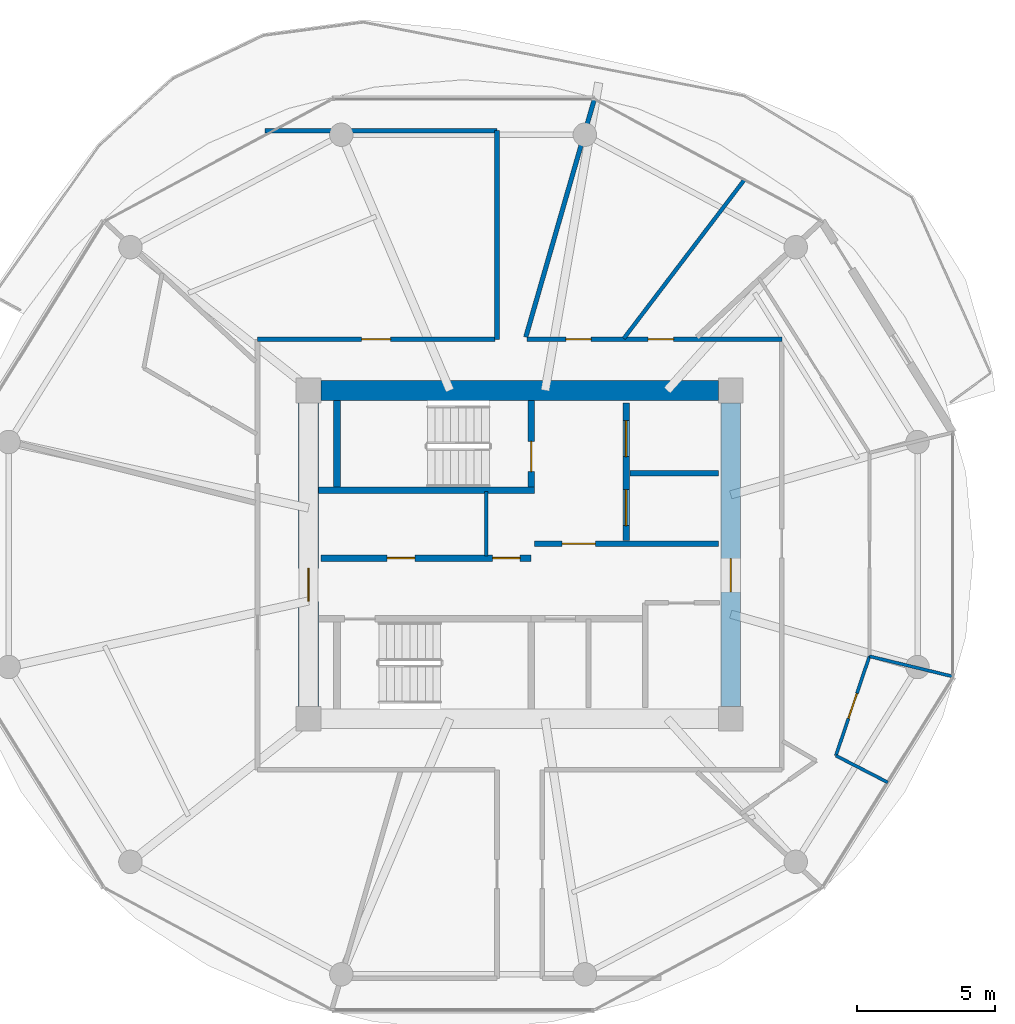
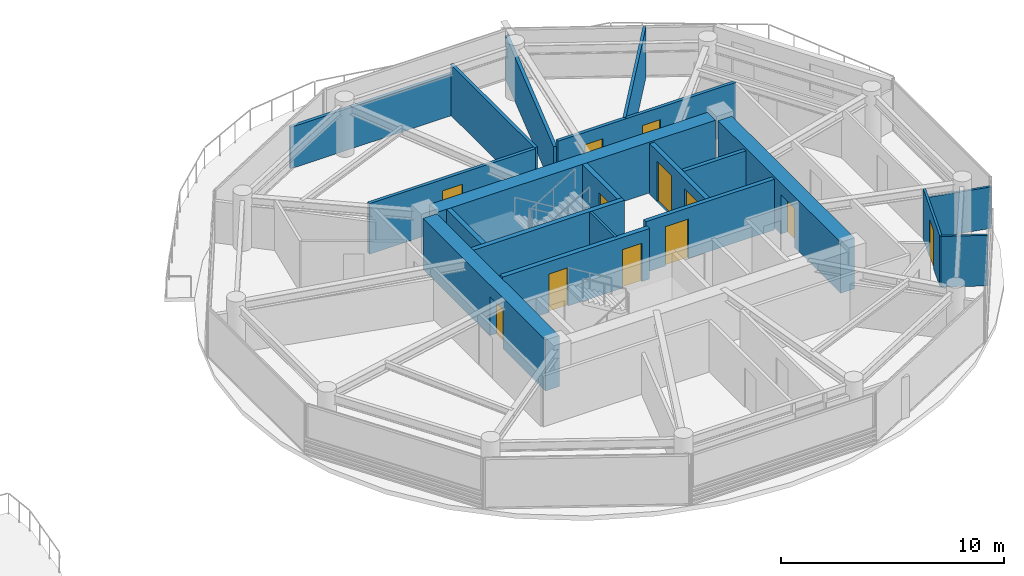
# One storey, part 16 of 24: 20 walls, 12 doors, 12 openings.
"""IFC4 building model written with IfcOpenShell, lengths in metres."""

from ifc_helpers import new_model, si_unit, direction, frame, frame_2d, origin, place, context, subcontext, project, spatial, rectangle, extrude, source, transform, mapped, material, layer, layer_set, type_object, type_shapes, element, fill, save


model = new_model("IFC4")

# Units and contexts
model_context = context("Model", 3, precision=1e-05, world=origin(), true_north=direction((0.0, 1.0)))
body_context = subcontext(model_context, "Body", "Model", "MODEL_VIEW")
ifc_project = project(units=[si_unit("LENGTHUNIT", "METRE"), si_unit("AREAUNIT", "SQUARE_METRE"), si_unit("VOLUMEUNIT", "CUBIC_METRE"), si_unit("PLANEANGLEUNIT", "RADIAN"), si_unit("MASSUNIT", "GRAM", prefix="KILO")], contexts=[model_context])

# Site, building, storey
site_placement = place(None, origin())
site = spatial("IfcSite", under=ifc_project, at=site_placement, CompositionType="ELEMENT")
building_placement = place(site_placement, origin())
building = spatial("IfcBuilding", under=site, at=building_placement, Name="Norrkilde Senior Care Towers", CompositionType="ELEMENT")
storey_placement = place(building_placement, frame((0.0, 0.0, 117.60009765625)))
storey = spatial("IfcBuildingStorey", under=building, at=storey_placement, Name="L36", CompositionType="ELEMENT", Elevation=117.60009765625)

# Wall
ifc_material_1 = material(Name="Concrete C60/75", Category="concrete")
ifc_layer_1 = layer(ifc_material_1, 0.719970703125)
ifc_layer_set_1 = layer_set([ifc_layer_1], Name="Concrete C60/75")
wall_type_1 = type_object("IfcWallType", Name="Core Shear Wall Z2 720", PredefinedType="SHEAR", material=ifc_layer_set_1)
shared_shape_1 = source(origin(), body_context, "Body", "SweptSolid", [
    extrude(rectangle(XDim=14.39990234375, YDim=0.719970703125, at=frame_2d((7.199951171875, 0.0))), origin(), (0.0, 0.0, 1.0), 2.789794921875),
])
wall_1_placement = place(storey_placement, frame((20.800048828125, 5.949951171875, 0.0), z_axis=(0.0, 0.0, 1.0), x_axis=(1.0, 0.0, 0.0)))
element("IfcWall", 1, at=wall_1_placement, inside=storey, type_object=wall_type_1, Name="L36 Core E North Shear Wall", PredefinedType="SHEAR", context=body_context, shape_type="MappedRepresentation", body=[
    mapped(shared_shape_1, transform((0.0, 0.0, 0.0), x_axis=(1.0, 0.0, 0.0), y_axis=(0.0, 1.0, 0.0), z_axis=(0.0, 0.0, 1.0), scale=1.0)),
])

# Wall, opening, door
shared_shape_2 = source(origin(), body_context, "Body", "SweptSolid", [
    extrude(rectangle(XDim=11.0, YDim=0.719970703125, at=frame_2d((5.5, 0.0))), origin(), (0.0, 0.0, 1.0), 2.789794921875),
])
type_shapes(wall_type_1, [shared_shape_1, shared_shape_2])
wall_2_placement = place(storey_placement, frame((20.35009765625, -5.5, 0.0), z_axis=(0.0, 0.0, 1.0), x_axis=(0.0, 1.0, 0.0)))
wall_2 = element("IfcWall", 2, at=wall_2_placement, inside=storey, type_object=wall_type_1, Name="L36 Core E West Shear Wall", PredefinedType="SHEAR", context=body_context, shape_type="MappedRepresentation", body=[
    mapped(shared_shape_2, transform((0.0, 0.0, 0.0), x_axis=(1.0, 0.0, 0.0), y_axis=(0.0, 1.0, 0.0), z_axis=(0.0, 0.0, 1.0), scale=1.0)),
])
opening_1_placement = place(wall_2_placement, frame((3.800048828125, 0.0, 0.0)))
opening_1 = element("IfcOpeningElement", 3, at=opening_1_placement, cuts=wall_2, Name="Opening D-04", PredefinedType="OPENING", context=body_context, shape_type="SweptSolid", body=[
    extrude(rectangle(XDim=1.199951171875, YDim=2.14990234375, at=frame_2d((0.60009765625, 1.074951171875))), frame((0.0, 0.369873046875, 0.0), z_axis=(0.0, -1.0, 0.0), x_axis=(1.0, 0.0, 0.0)), (0.0, 0.0, 1.0), 0.739990234375),
])
ifc_material_2 = material(Name="Galvanised Painted Steel", Category="steel")
door_type_1 = type_object("IfcDoorType", Name="Firefighting Lobby Fire Door 1200x2150", OperationType="NOTDEFINED", PredefinedType="DOOR", material=ifc_material_2)
shared_shape_3 = source(origin(), body_context, "Body", "SweptSolid", [
    extrude(rectangle(XDim=1.199951171875, YDim=2.14990234375, at=frame_2d((0.60009765625, 1.074951171875))), frame((0.0, 0.02490234375, 0.0), z_axis=(0.0, -1.0, 0.0), x_axis=(1.0, 0.0, 0.0)), (0.0, 0.0, 1.0), 0.050048828125),
])
type_shapes(door_type_1, [shared_shape_3])
door_1_placement = place(opening_1_placement, frame((1.199951171875, 0.0, 0.0), z_axis=(0.0, 0.0, 1.0), x_axis=(-1.0, 0.0, 0.0)))
door_1 = element("IfcDoor", 4, at=door_1_placement, inside=storey, type_object=door_type_1, Name="L36 Core E West Portal Door", OperationType="SINGLE_SWING_LEFT", OverallHeight=2.14990234375, OverallWidth=1.199951171875, PredefinedType="DOOR", context=body_context, shape_type="MappedRepresentation", body=[
    mapped(shared_shape_3, transform((0.0, 0.0, 0.0), x_axis=(1.0, 0.0, 0.0), y_axis=(0.0, 1.0, 0.0), z_axis=(0.0, 0.0, 1.0), scale=1.0)),
])
fill(opening_1, door_1)

wall_3_placement = place(storey_placement, frame((35.64990234375, 5.5, 0.0), z_axis=(0.0, 0.0, 1.0), x_axis=(0.0, -1.0, 0.0)))
wall_3 = element("IfcWall", 5, at=wall_3_placement, inside=storey, type_object=wall_type_1, Name="L36 Core E East Shear Wall", PredefinedType="SHEAR", context=body_context, shape_type="MappedRepresentation", body=[
    mapped(shared_shape_2, transform((0.0, 0.0, 0.0), x_axis=(1.0, 0.0, 0.0), y_axis=(0.0, 1.0, 0.0), z_axis=(0.0, 0.0, 1.0), scale=1.0)),
])
opening_2_placement = place(wall_3_placement, frame((5.64990234375, 0.0, 0.0)))
opening_2 = element("IfcOpeningElement", 6, at=opening_2_placement, cuts=wall_3, Name="Opening D-04", PredefinedType="OPENING", context=body_context, shape_type="SweptSolid", body=[
    extrude(rectangle(XDim=1.199951171875, YDim=2.14990234375, at=frame_2d((0.60009765625, 1.074951171875))), frame((0.0, 0.369873046875, 0.0), z_axis=(0.0, -1.0, 0.0), x_axis=(1.0, 0.0, 0.0)), (0.0, 0.0, 1.0), 0.739990234375),
])
door_2_placement = place(opening_2_placement, frame((1.199951171875, 0.0, 0.0), z_axis=(0.0, 0.0, 1.0), x_axis=(-1.0, 0.0, 0.0)))
door_2 = element("IfcDoor", 7, at=door_2_placement, inside=storey, type_object=door_type_1, Name="L36 Core E East Portal Door", OperationType="SINGLE_SWING_RIGHT", OverallHeight=2.14990234375, OverallWidth=1.199951171875, PredefinedType="DOOR", context=body_context, shape_type="MappedRepresentation", body=[
    mapped(shared_shape_3, transform((0.0, 0.0, 0.0), x_axis=(1.0, 0.0, 0.0), y_axis=(0.0, 1.0, 0.0), z_axis=(0.0, 0.0, 1.0), scale=1.0)),
])
fill(opening_2, door_2)

# Wall, openings, doors
ifc_material_3 = material(Name="Concrete C45/55", Category="concrete")
ifc_layer_2 = layer(ifc_material_3, 0.239990234375)
ifc_layer_set_2 = layer_set([ifc_layer_2], Name="Concrete C45/55")
wall_type_2 = type_object("IfcWallType", Name="Lift and Plant Rated Enclosure Partition 240", PredefinedType="PARTITIONING", material=ifc_layer_set_2)
shared_shape_4 = source(origin(), body_context, "Body", "SweptSolid", [
    extrude(rectangle(XDim=5.0, YDim=0.239990234375, at=frame_2d((2.5, 0.0))), origin(), (0.0, 0.0, 1.0), 2.77490234375),
])
wall_4_placement = place(storey_placement, frame((31.860107421875, 0.5, 0.0), z_axis=(0.0, 0.0, 1.0), x_axis=(0.0, 1.0, 0.0)))
wall_4 = element("IfcWall", 8, at=wall_4_placement, inside=storey, type_object=wall_type_2, Name="WL-INT-L36-E-FFLE", PredefinedType="PARTITIONING", context=body_context, shape_type="MappedRepresentation", body=[
    mapped(shared_shape_4, transform((0.0, 0.0, 0.0), x_axis=(1.0, 0.0, 0.0), y_axis=(0.0, 1.0, 0.0), z_axis=(0.0, 0.0, 1.0), scale=1.0)),
])
opening_3_placement = place(wall_4_placement, frame((3.050048828125, 0.0, 0.0)))
opening_3 = element("IfcOpeningElement", 9, at=opening_3_placement, cuts=wall_4, Name="Opening LD-02", PredefinedType="OPENING", context=body_context, shape_type="SweptSolid", body=[
    extrude(rectangle(XDim=1.300048828125, YDim=2.199951171875, at=frame_2d((0.64990234375, 1.10009765625))), frame((0.0, 0.1298828125, 0.0), z_axis=(0.0, -1.0, 0.0), x_axis=(1.0, 0.0, 0.0)), (0.0, 0.0, 1.0), 0.260009765625),
])
opening_4_placement = place(wall_4_placement, frame((0.550048828125, 0.0, 0.0)))
opening_4 = element("IfcOpeningElement", 10, at=opening_4_placement, cuts=wall_4, Name="Opening LD-02", PredefinedType="OPENING", context=body_context, shape_type="SweptSolid", body=[
    extrude(rectangle(XDim=1.300048828125, YDim=2.199951171875, at=frame_2d((0.64990234375, 1.10009765625))), frame((0.0, 0.1298828125, 0.0), z_axis=(0.0, -1.0, 0.0), x_axis=(1.0, 0.0, 0.0)), (0.0, 0.0, 1.0), 0.260009765625),
])
ifc_material_4 = material(Name="Stainless Steel", Category="steel")
door_type_2 = type_object("IfcDoorType", Name="Stretcher and FFL Landing Sliding Door 1300x2200", OperationType="NOTDEFINED", PredefinedType="DOOR", material=ifc_material_4)
shared_shape_5 = source(origin(), body_context, "Body", "SweptSolid", [
    extrude(rectangle(XDim=1.300048828125, YDim=2.199951171875, at=frame_2d((0.64990234375, 1.10009765625))), frame((0.0, 0.02490234375, 0.0), z_axis=(0.0, -1.0, 0.0), x_axis=(1.0, 0.0, 0.0)), (0.0, 0.0, 1.0), 0.050048828125),
])
type_shapes(door_type_2, [shared_shape_5])
door_3_placement = place(opening_3_placement, origin())
door_3 = element("IfcDoor", 11, at=door_3_placement, inside=storey, type_object=door_type_2, Name="L36 Firefighting Lift E1 Landing Door", OperationType="SLIDING_TO_LEFT", OverallHeight=2.199951171875, OverallWidth=1.300048828125, PredefinedType="DOOR", context=body_context, shape_type="MappedRepresentation", body=[
    mapped(shared_shape_5, transform((0.0, 0.0, 0.0), x_axis=(1.0, 0.0, 0.0), y_axis=(0.0, 1.0, 0.0), z_axis=(0.0, 0.0, 1.0), scale=1.0)),
])
fill(opening_3, door_3)
door_4_placement = place(opening_4_placement, origin())
door_4 = element("IfcDoor", 12, at=door_4_placement, inside=storey, type_object=door_type_2, Name="L36 Stretcher Lift E1 Landing Door", OperationType="SLIDING_TO_RIGHT", OverallHeight=2.199951171875, OverallWidth=1.300048828125, PredefinedType="DOOR", context=body_context, shape_type="MappedRepresentation", body=[
    mapped(shared_shape_5, transform((0.0, 0.0, 0.0), x_axis=(1.0, 0.0, 0.0), y_axis=(0.0, 1.0, 0.0), z_axis=(0.0, 0.0, 1.0), scale=1.0)),
])
fill(opening_4, door_4)

# Wall
ifc_layer_3 = layer(ifc_material_3, 0.199951171875)
ifc_layer_set_3 = layer_set([ifc_layer_3], Name="Concrete C45/55")
wall_type_3 = type_object("IfcWallType", Name="Shaft Division and Plant Partition 200", PredefinedType="PARTITIONING", material=ifc_layer_set_3)
shared_shape_6 = source(origin(), body_context, "Body", "SweptSolid", [
    extrude(rectangle(XDim=3.199951171875, YDim=0.199951171875, at=frame_2d((1.60009765625, 0.0))), origin(), (0.0, 0.0, 1.0), 2.77490234375),
])
type_shapes(wall_type_3, [shared_shape_6])
wall_5_placement = place(storey_placement, frame((32.0, 2.949951171875, 0.0), z_axis=(0.0, 0.0, 1.0), x_axis=(1.0, 0.0, 0.0)))
element("IfcWall", 13, at=wall_5_placement, inside=storey, type_object=wall_type_3, Name="WL-INT-L36-E-FFLDIV", PredefinedType="PARTITIONING", context=body_context, shape_type="MappedRepresentation", body=[
    mapped(shared_shape_6, transform((0.0, 0.0, 0.0), x_axis=(1.0, 0.0, 0.0), y_axis=(0.0, 1.0, 0.0), z_axis=(0.0, 0.0, 1.0), scale=1.0)),
])

# Wall, opening, door
ifc_layer_4 = layer(ifc_material_3, 0.2099609375)
ifc_layer_set_4 = layer_set([ifc_layer_4], Name="Concrete C45/55")
wall_type_4 = type_object("IfcWallType", Name="Firefighting Lobby Wall 210", PredefinedType="PARTITIONING", material=ifc_layer_set_4)
shared_shape_7 = source(origin(), body_context, "Body", "SweptSolid", [
    extrude(rectangle(XDim=6.659912109375, YDim=0.2099609375, at=frame_2d((3.330078125, 0.0))), origin(), (0.0, 0.0, 1.0), 2.77490234375),
])
type_shapes(wall_type_4, [shared_shape_7])
wall_6_placement = place(storey_placement, frame((28.5400390625, 0.389892578125, 0.0), z_axis=(0.0, 0.0, 1.0), x_axis=(1.0, 0.0, 0.0)))
wall_6 = element("IfcWall", 14, at=wall_6_placement, inside=storey, type_object=wall_type_4, Name="WL-INT-L36-E-FFLS", PredefinedType="PARTITIONING", context=body_context, shape_type="MappedRepresentation", body=[
    mapped(shared_shape_7, transform((0.0, 0.0, 0.0), x_axis=(1.0, 0.0, 0.0), y_axis=(0.0, 1.0, 0.0), z_axis=(0.0, 0.0, 1.0), scale=1.0)),
])
opening_5_placement = place(wall_6_placement, frame((1.0, 0.0, 0.0)))
opening_5 = element("IfcOpeningElement", 15, at=opening_5_placement, cuts=wall_6, Name="Opening D-04", PredefinedType="OPENING", context=body_context, shape_type="SweptSolid", body=[
    extrude(rectangle(XDim=1.199951171875, YDim=2.14990234375, at=frame_2d((0.60009765625, 1.074951171875))), frame((0.0, 0.114990234375, 0.0), z_axis=(0.0, -1.0, 0.0), x_axis=(1.0, 0.0, 0.0)), (0.0, 0.0, 1.0), 0.22998046875),
])
door_5_placement = place(opening_5_placement, frame((1.199951171875, 0.0, 0.0), z_axis=(0.0, 0.0, 1.0), x_axis=(-1.0, 0.0, 0.0)))
door_5 = element("IfcDoor", 16, at=door_5_placement, inside=storey, type_object=door_type_1, Name="L36 Firefighting Lobby E Door", OperationType="SINGLE_SWING_LEFT", OverallHeight=2.14990234375, OverallWidth=1.199951171875, PredefinedType="DOOR", context=body_context, shape_type="MappedRepresentation", body=[
    mapped(shared_shape_3, transform((0.0, 0.0, 0.0), x_axis=(1.0, 0.0, 0.0), y_axis=(0.0, 1.0, 0.0), z_axis=(0.0, 0.0, 1.0), scale=1.0)),
])
fill(opening_5, door_5)

# Wall, openings, doors
shared_shape_8 = source(origin(), body_context, "Body", "SweptSolid", [
    extrude(rectangle(XDim=7.619873046875, YDim=0.239990234375, at=frame_2d((3.81005859375, 0.0))), origin(), (0.0, 0.0, 1.0), 2.77490234375),
])
type_shapes(wall_type_2, [shared_shape_4, shared_shape_8])
wall_7_placement = place(storey_placement, frame((20.800048828125, -0.1298828125, 0.0), z_axis=(0.0, 0.0, 1.0), x_axis=(1.0, 0.0, 0.0)))
wall_7 = element("IfcWall", 17, at=wall_7_placement, inside=storey, type_object=wall_type_2, Name="WL-INT-L36-E-PKAS", PredefinedType="PARTITIONING", context=body_context, shape_type="MappedRepresentation", body=[
    mapped(shared_shape_8, transform((0.0, 0.0, 0.0), x_axis=(1.0, 0.0, 0.0), y_axis=(0.0, 1.0, 0.0), z_axis=(0.0, 0.0, 1.0), scale=1.0)),
])
opening_6_placement = place(wall_7_placement, frame((6.219970703125, 0.0, 0.0)))
opening_6 = element("IfcOpeningElement", 18, at=opening_6_placement, cuts=wall_7, Name="Opening D-10", PredefinedType="OPENING", context=body_context, shape_type="SweptSolid", body=[
    extrude(rectangle(XDim=1.0, YDim=2.10009765625, at=frame_2d((0.5, 1.050048828125))), frame((0.0, 0.1298828125, 0.0), z_axis=(0.0, -1.0, 0.0), x_axis=(1.0, 0.0, 0.0)), (0.0, 0.0, 1.0), 0.260009765625),
])
opening_7_placement = place(wall_7_placement, frame((2.39990234375, 0.0, 0.0)))
opening_7 = element("IfcOpeningElement", 19, at=opening_7_placement, cuts=wall_7, Name="Opening D-10", PredefinedType="OPENING", context=body_context, shape_type="SweptSolid", body=[
    extrude(rectangle(XDim=1.0, YDim=2.10009765625, at=frame_2d((0.5, 1.050048828125))), frame((0.0, 0.1298828125, 0.0), z_axis=(0.0, -1.0, 0.0), x_axis=(1.0, 0.0, 0.0)), (0.0, 0.0, 1.0), 0.260009765625),
])
door_type_3 = type_object("IfcDoorType", Name="Plant and Riser Rated Door 1000x2100", OperationType="NOTDEFINED", PredefinedType="DOOR", material=ifc_material_2)
shared_shape_9 = source(origin(), body_context, "Body", "SweptSolid", [
    extrude(rectangle(XDim=1.0, YDim=2.10009765625, at=frame_2d((0.5, 1.050048828125))), frame((0.0, 0.02490234375, 0.0), z_axis=(0.0, -1.0, 0.0), x_axis=(1.0, 0.0, 0.0)), (0.0, 0.0, 1.0), 0.050048828125),
])
type_shapes(door_type_3, [shared_shape_9])
door_6_placement = place(opening_6_placement, frame((1.0, 0.0, 0.0), z_axis=(0.0, 0.0, 1.0), x_axis=(-1.0, 0.0, 0.0)))
door_6 = element("IfcDoor", 20, at=door_6_placement, inside=storey, type_object=door_type_3, Name="L36 Electrical Riser E Door", OperationType="SINGLE_SWING_LEFT", OverallHeight=2.10009765625, OverallWidth=1.0, PredefinedType="DOOR", context=body_context, shape_type="MappedRepresentation", body=[
    mapped(shared_shape_9, transform((0.0, 0.0, 0.0), x_axis=(1.0, 0.0, 0.0), y_axis=(0.0, 1.0, 0.0), z_axis=(0.0, 0.0, 1.0), scale=1.0)),
])
fill(opening_6, door_6)
door_7_placement = place(opening_7_placement, frame((1.0, 0.0, 0.0), z_axis=(0.0, 0.0, 1.0), x_axis=(-1.0, 0.0, 0.0)))
door_7 = element("IfcDoor", 21, at=door_7_placement, inside=storey, type_object=door_type_3, Name="L36 Clean Supply Store E Door", OperationType="SINGLE_SWING_LEFT", OverallHeight=2.10009765625, OverallWidth=1.0, PredefinedType="DOOR", context=body_context, shape_type="MappedRepresentation", body=[
    mapped(shared_shape_9, transform((0.0, 0.0, 0.0), x_axis=(1.0, 0.0, 0.0), y_axis=(0.0, 1.0, 0.0), z_axis=(0.0, 0.0, 1.0), scale=1.0)),
])
fill(opening_7, door_7)

# Wall
ifc_material_5 = material(Name="Gypsum Acoustic Board")
ifc_layer_5 = layer(ifc_material_5, 0.114990234375)
ifc_layer_set_5 = layer_set([ifc_layer_5], Name="Gypsum Acoustic Board")
wall_type_5 = type_object("IfcWallType", Name="Internal Room Partition 115", PredefinedType="PARTITIONING", material=ifc_layer_set_5)
shared_shape_10 = source(origin(), body_context, "Body", "SweptSolid", [
    extrude(rectangle(XDim=2.330078125, YDim=0.114990234375, at=frame_2d((1.1650390625, 0.0))), origin(), (0.0, 0.0, 1.0), 2.77490234375),
])
wall_8_placement = place(storey_placement, frame((26.7900390625, -0.050048828125, 0.0), z_axis=(0.0, 0.0, 1.0), x_axis=(0.0, 1.0, 0.0)))
element("IfcWall", 22, at=wall_8_placement, inside=storey, type_object=wall_type_5, Name="WL-INT-L36-E-RISW", PredefinedType="PARTITIONING", context=body_context, shape_type="MappedRepresentation", body=[
    mapped(shared_shape_10, transform((0.0, 0.0, 0.0), x_axis=(1.0, 0.0, 0.0), y_axis=(0.0, 1.0, 0.0), z_axis=(0.0, 0.0, 1.0), scale=1.0)),
])

# Wall, opening, door
ifc_layer_6 = layer(ifc_material_5, 0.1650390625)
ifc_layer_set_6 = layer_set([ifc_layer_6], Name="Gypsum Acoustic Board")
wall_type_6 = type_object("IfcWallType", Name="Corridor Rated Partition 165", PredefinedType="PARTITIONING", material=ifc_layer_set_6)
shared_shape_11 = source(origin(), body_context, "Body", "SweptSolid", [
    extrude(rectangle(XDim=8.60009765625, YDim=0.1650390625, at=frame_2d((4.300048828125, 0.0))), origin(), (0.0, 0.0, 1.0), 2.77490234375),
])
wall_9_placement = place(storey_placement, frame((18.5, 7.800048828125, 0.0), z_axis=(0.0, 0.0, 1.0), x_axis=(1.0, 0.0, 0.0)))
wall_9 = element("IfcWall", 23, at=wall_9_placement, inside=storey, type_object=wall_type_6, Name="WL-INT-L36-E-CRW-N-0", PredefinedType="PARTITIONING", context=body_context, shape_type="MappedRepresentation", body=[
    mapped(shared_shape_11, transform((0.0, 0.0, 0.0), x_axis=(1.0, 0.0, 0.0), y_axis=(0.0, 1.0, 0.0), z_axis=(0.0, 0.0, 1.0), scale=1.0)),
])
opening_8_placement = place(wall_9_placement, frame((3.77490234375, 0.0, 0.0)))
opening_8 = element("IfcOpeningElement", 24, at=opening_8_placement, cuts=wall_9, Name="Opening D-06", PredefinedType="OPENING", context=body_context, shape_type="SweptSolid", body=[
    extrude(rectangle(XDim=1.050048828125, YDim=2.14990234375, at=frame_2d((0.52490234375, 1.074951171875))), frame((0.0, 0.092529296875, 0.0), z_axis=(0.0, -1.0, 0.0), x_axis=(1.0, 0.0, 0.0)), (0.0, 0.0, 1.0), 0.18505859375),
])
ifc_material_6 = material(Name="Nordic Ash Timber", Category="wood")
door_type_4 = type_object("IfcDoorType", Name="Apartment Entrance Fire Door 1050x2150", OperationType="NOTDEFINED", PredefinedType="DOOR", material=ifc_material_6)
shared_shape_12 = source(origin(), body_context, "Body", "SweptSolid", [
    extrude(rectangle(XDim=1.050048828125, YDim=2.14990234375, at=frame_2d((0.52490234375, 1.074951171875))), frame((0.0, 0.02490234375, 0.0), z_axis=(0.0, -1.0, 0.0), x_axis=(1.0, 0.0, 0.0)), (0.0, 0.0, 1.0), 0.050048828125),
])
type_shapes(door_type_4, [shared_shape_12])
door_8_placement = place(opening_8_placement, frame((1.050048828125, 0.0, 0.0), z_axis=(0.0, 0.0, 1.0), x_axis=(-1.0, 0.0, 0.0)))
door_8 = element("IfcDoor", 25, at=door_8_placement, inside=storey, type_object=door_type_4, Name="L36 Reading Lounge NWL Door", OperationType="SINGLE_SWING_RIGHT", OverallHeight=2.14990234375, OverallWidth=1.050048828125, PredefinedType="DOOR", context=body_context, shape_type="MappedRepresentation", body=[
    mapped(shared_shape_12, transform((0.0, 0.0, 0.0), x_axis=(1.0, 0.0, 0.0), y_axis=(0.0, 1.0, 0.0), z_axis=(0.0, 0.0, 1.0), scale=1.0)),
])
fill(opening_8, door_8)

# Wall, openings, doors
shared_shape_13 = source(origin(), body_context, "Body", "SweptSolid", [
    extrude(rectangle(XDim=9.234130859375, YDim=0.1650390625, at=frame_2d((4.6171875, 0.0))), origin(), (0.0, 0.0, 1.0), 2.77490234375),
])
wall_10_placement = place(storey_placement, frame((28.265869140625, 7.800048828125, 0.0), z_axis=(0.0, 0.0, 1.0), x_axis=(1.0, 0.0, 0.0)))
wall_10 = element("IfcWall", 26, at=wall_10_placement, inside=storey, type_object=wall_type_6, Name="WL-INT-L36-E-CRW-N-1", PredefinedType="PARTITIONING", context=body_context, shape_type="MappedRepresentation", body=[
    mapped(shared_shape_13, transform((0.0, 0.0, 0.0), x_axis=(1.0, 0.0, 0.0), y_axis=(0.0, 1.0, 0.0), z_axis=(0.0, 0.0, 1.0), scale=1.0)),
])
opening_9_placement = place(wall_10_placement, frame((4.39208984375, 0.0, 0.0)))
opening_9 = element("IfcOpeningElement", 27, at=opening_9_placement, cuts=wall_10, Name="Opening D-08", PredefinedType="OPENING", context=body_context, shape_type="SweptSolid", body=[
    extrude(rectangle(XDim=0.919921875, YDim=2.10009765625, at=frame_2d((0.4599609375, 1.050048828125))), frame((0.0, 0.092529296875, 0.0), z_axis=(0.0, -1.0, 0.0), x_axis=(1.0, 0.0, 0.0)), (0.0, 0.0, 1.0), 0.18505859375),
])
opening_10_placement = place(wall_10_placement, frame((1.407958984375, 0.0, 0.0)))
opening_10 = element("IfcOpeningElement", 28, at=opening_10_placement, cuts=wall_10, Name="Opening D-08", PredefinedType="OPENING", context=body_context, shape_type="SweptSolid", body=[
    extrude(rectangle(XDim=0.919921875, YDim=2.10009765625, at=frame_2d((0.4599609375, 1.050048828125))), frame((0.0, 0.092529296875, 0.0), z_axis=(0.0, -1.0, 0.0), x_axis=(1.0, 0.0, 0.0)), (0.0, 0.0, 1.0), 0.18505859375),
])
door_type_5 = type_object("IfcDoorType", Name="Accessible Wet Room Door 920x2100", OperationType="NOTDEFINED", PredefinedType="DOOR", material=ifc_material_6)
shared_shape_14 = source(origin(), body_context, "Body", "SweptSolid", [
    extrude(rectangle(XDim=0.919921875, YDim=2.10009765625, at=frame_2d((0.4599609375, 1.050048828125))), frame((0.0, 0.02490234375, 0.0), z_axis=(0.0, -1.0, 0.0), x_axis=(1.0, 0.0, 0.0)), (0.0, 0.0, 1.0), 0.050048828125),
])
type_shapes(door_type_5, [shared_shape_14])
door_9_placement = place(opening_9_placement, frame((0.919921875, 0.0, 0.0), z_axis=(0.0, 0.0, 1.0), x_axis=(-1.0, 0.0, 0.0)))
door_9 = element("IfcDoor", 29, at=door_9_placement, inside=storey, type_object=door_type_5, Name="L36 Accessible Restroom Door", OperationType="SINGLE_SWING_RIGHT", OverallHeight=2.10009765625, OverallWidth=0.919921875, PredefinedType="DOOR", context=body_context, shape_type="MappedRepresentation", body=[
    mapped(shared_shape_14, transform((0.0, 0.0, 0.0), x_axis=(1.0, 0.0, 0.0), y_axis=(0.0, 1.0, 0.0), z_axis=(0.0, 0.0, 1.0), scale=1.0)),
])
fill(opening_9, door_9)
door_10_placement = place(opening_10_placement, frame((0.919921875, 0.0, 0.0), z_axis=(0.0, 0.0, 1.0), x_axis=(-1.0, 0.0, 0.0)))
door_10 = element("IfcDoor", 30, at=door_10_placement, inside=storey, type_object=door_type_5, Name="L36 Public Restroom Door", OperationType="SINGLE_SWING_LEFT", OverallHeight=2.10009765625, OverallWidth=0.919921875, PredefinedType="DOOR", context=body_context, shape_type="MappedRepresentation", body=[
    mapped(shared_shape_14, transform((0.0, 0.0, 0.0), x_axis=(1.0, 0.0, 0.0), y_axis=(0.0, 1.0, 0.0), z_axis=(0.0, 0.0, 1.0), scale=1.0)),
])
fill(opening_10, door_10)

# Walls
shared_shape_15 = source(origin(), body_context, "Body", "SweptSolid", [
    extrude(rectangle(XDim=7.56005859375, YDim=0.1650390625, at=frame_2d((3.780029296875, 0.0))), origin(), (0.0, 0.0, 1.0), 2.77490234375),
])
wall_11_placement = place(storey_placement, frame((27.179931640625, 7.800048828125, 0.0), z_axis=(0.0, 0.0, 1.0), x_axis=(0.0, 1.0, 0.0)))
element("IfcWall", 31, at=wall_11_placement, inside=storey, type_object=wall_type_6, Name="WL-INT-L36-E-PKW-NWL", PredefinedType="PARTITIONING", context=body_context, shape_type="MappedRepresentation", body=[
    mapped(shared_shape_15, transform((0.0, 0.0, 0.0), x_axis=(1.0, 0.0, 0.0), y_axis=(0.0, 1.0, 0.0), z_axis=(0.0, 0.0, 1.0), scale=1.0)),
])
shared_shape_16 = source(origin(), body_context, "Body", "SweptSolid", [
    extrude(rectangle(XDim=8.406982421875, YDim=0.1650390625, at=frame_2d((4.20361328125, 0.0))), origin(), (0.0, 0.0, 1.0), 2.27490234375),
])
wall_12_placement = place(storey_placement, frame((18.77294921875, 15.360107421875, 0.0), z_axis=(0.0, 0.0, 1.0), x_axis=(1.0, 0.0, 0.0)))
element("IfcWall", 32, at=wall_12_placement, inside=storey, type_object=wall_type_6, Name="WL-INT-L36-E-PKH-NWL-0", PredefinedType="PARTITIONING", context=body_context, shape_type="MappedRepresentation", body=[
    mapped(shared_shape_16, transform((0.0, 0.0, 0.0), x_axis=(1.0, 0.0, 0.0), y_axis=(0.0, 1.0, 0.0), z_axis=(0.0, 0.0, 1.0), scale=1.0)),
])
ifc_layer_7 = layer(ifc_material_5, 0.139892578125)
ifc_layer_set_7 = layer_set([ifc_layer_7], Name="Gypsum Acoustic Board")
wall_type_7 = type_object("IfcWallType", Name="En-suite Wet Room Wall 140", PredefinedType="PARTITIONING", material=ifc_layer_set_7)
shared_shape_17 = source(origin(), body_context, "Body", "SweptSolid", [
    extrude(rectangle(XDim=7.24267578125, YDim=0.139892578125, at=frame_2d((3.621337890625, 0.0))), origin(), (0.0, 0.0, 1.0), 2.77490234375),
])
type_shapes(wall_type_7, [shared_shape_17])
wall_13_placement = place(storey_placement, frame((31.773681640625, 7.830078125, 0.0), z_axis=(0.0, 0.0, 1.0), x_axis=(0.605111472002, 0.796140757939, 0.0)))
element("IfcWall", 33, at=wall_13_placement, inside=storey, type_object=wall_type_7, Name="WL-INT-L36-E-MID-01", PredefinedType="PARTITIONING", context=body_context, shape_type="MappedRepresentation", body=[
    mapped(shared_shape_17, transform((0.0, 0.0, 0.0), x_axis=(1.0, 0.0, 0.0), y_axis=(0.0, 1.0, 0.0), z_axis=(0.0, 0.0, 1.0), scale=1.0)),
])
shared_shape_18 = source(origin(), body_context, "Body", "SweptSolid", [
    extrude(rectangle(XDim=3.13330078125, YDim=0.114990234375, at=frame_2d((1.566650390625, 0.0))), origin(), (0.0, 0.0, 1.0), 2.27490234375),
])
wall_14_placement = place(storey_placement, frame((40.677978515625, -3.687744140625, 0.0), z_axis=(0.0, 0.0, 1.0), x_axis=(0.971863619682, -0.235544273414, 0.0)))
element("IfcWall", 34, at=wall_14_placement, inside=storey, type_object=wall_type_5, Name="WL-INT-L36-E-UBR-10-1", PredefinedType="PARTITIONING", context=body_context, shape_type="MappedRepresentation", body=[
    mapped(shared_shape_18, transform((0.0, 0.0, 0.0), x_axis=(1.0, 0.0, 0.0), y_axis=(0.0, 1.0, 0.0), z_axis=(0.0, 0.0, 1.0), scale=1.0)),
])
shared_shape_19 = source(origin(), body_context, "Body", "SweptSolid", [
    extrude(rectangle(XDim=2.1171875, YDim=0.114990234375, at=frame_2d((1.05859375, 0.0))), origin(), (0.0, 0.0, 1.0), 2.77490234375),
])
wall_15_placement = place(storey_placement, frame((39.459716796875, -7.288818359375, 0.0), z_axis=(0.0, 0.0, 1.0), x_axis=(0.888941834945, -0.45802010227, 0.0)))
element("IfcWall", 35, at=wall_15_placement, inside=storey, type_object=wall_type_5, Name="WL-INT-L36-E-UKTS-10", PredefinedType="PARTITIONING", context=body_context, shape_type="MappedRepresentation", body=[
    mapped(shared_shape_19, transform((0.0, 0.0, 0.0), x_axis=(1.0, 0.0, 0.0), y_axis=(0.0, 1.0, 0.0), z_axis=(0.0, 0.0, 1.0), scale=1.0)),
])

# Wall, opening, door
shared_shape_20 = source(origin(), body_context, "Body", "SweptSolid", [
    extrude(rectangle(XDim=3.80126953125, YDim=0.114990234375, at=frame_2d((1.900634765625, 0.0))), origin(), (0.0, 0.0, 1.0), 2.77490234375),
])
type_shapes(wall_type_5, [shared_shape_10, shared_shape_18, shared_shape_19, shared_shape_20])
wall_16_placement = place(storey_placement, frame((39.459716796875, -7.288818359375, 0.0), z_axis=(0.0, 0.0, 1.0), x_axis=(0.320097904666, 0.947384468644, 0.0)))
wall_16 = element("IfcWall", 36, at=wall_16_placement, inside=storey, type_object=wall_type_5, Name="WL-INT-L36-E-UKTF-10", PredefinedType="PARTITIONING", context=body_context, shape_type="MappedRepresentation", body=[
    mapped(shared_shape_20, transform((0.0, 0.0, 0.0), x_axis=(1.0, 0.0, 0.0), y_axis=(0.0, 1.0, 0.0), z_axis=(0.0, 0.0, 1.0), scale=1.0)),
])
opening_11_placement = place(wall_16_placement, frame((1.42578125, 0.0, 0.0)))
opening_11 = element("IfcOpeningElement", 37, at=opening_11_placement, cuts=wall_16, Name="Opening D-07", PredefinedType="OPENING", context=body_context, shape_type="SweptSolid", body=[
    extrude(rectangle(XDim=0.949951171875, YDim=2.10009765625, at=frame_2d((0.47509765625, 1.050048828125))), frame((0.0, 0.0673828125, 0.0), z_axis=(0.0, -1.0, 0.0), x_axis=(1.0, 0.0, 0.0)), (0.0, 0.0, 1.0), 0.135009765625),
])
door_type_6 = type_object("IfcDoorType", Name="Internal Suite Bedroom Door 950x2100", OperationType="NOTDEFINED", PredefinedType="DOOR", material=ifc_material_6)
shared_shape_21 = source(origin(), body_context, "Body", "SweptSolid", [
    extrude(rectangle(XDim=0.949951171875, YDim=2.10009765625, at=frame_2d((0.47509765625, 1.050048828125))), frame((0.0, 0.02490234375, 0.0), z_axis=(0.0, -1.0, 0.0), x_axis=(1.0, 0.0, 0.0)), (0.0, 0.0, 1.0), 0.050048828125),
])
type_shapes(door_type_6, [shared_shape_21])
door_11_placement = place(opening_11_placement, frame((0.949951171875, 0.0, 0.0), z_axis=(0.0, 0.0, 1.0), x_axis=(-1.0, 0.0, 0.0)))
door_11 = element("IfcDoor", 38, at=door_11_placement, inside=storey, type_object=door_type_6, Name="Apartment 36C Kitchen Door", OperationType="SINGLE_SWING_LEFT", OverallHeight=2.10009765625, OverallWidth=0.949951171875, PredefinedType="DOOR", context=body_context, shape_type="MappedRepresentation", body=[
    mapped(shared_shape_21, transform((0.0, 0.0, 0.0), x_axis=(1.0, 0.0, 0.0), y_axis=(0.0, 1.0, 0.0), z_axis=(0.0, 0.0, 1.0), scale=1.0)),
])
fill(opening_11, door_11)

# Walls
ifc_layer_8 = layer(ifc_material_3, 0.239990234375)
ifc_layer_set_8 = layer_set([ifc_layer_8], Name="Concrete C45/55")
wall_type_8 = type_object("IfcWallType", Name="Shaft and Stair Enclosure Wall 240", PredefinedType="PARTITIONING", material=ifc_layer_set_8)
shared_shape_22 = source(origin(), body_context, "Body", "SweptSolid", [
    extrude(rectangle(XDim=7.830078125, YDim=0.239990234375, at=frame_2d((3.9150390625, 0.0))), origin(), (0.0, 0.0, 1.0), 2.789794921875),
])
wall_17_placement = place(storey_placement, frame((20.7099609375, 2.330078125, 0.0), z_axis=(0.0, 0.0, 1.0), x_axis=(1.0, 0.0, 0.0)))
element("IfcWall", 39, at=wall_17_placement, inside=storey, type_object=wall_type_8, Name="WL-INT-L36-E-ST1S", PredefinedType="PARTITIONING", context=body_context, shape_type="MappedRepresentation", body=[
    mapped(shared_shape_22, transform((0.0, 0.0, 0.0), x_axis=(1.0, 0.0, 0.0), y_axis=(0.0, 1.0, 0.0), z_axis=(0.0, 0.0, 1.0), scale=1.0)),
])
shared_shape_23 = source(origin(), body_context, "Body", "SweptSolid", [
    extrude(rectangle(XDim=3.14013671875, YDim=0.239990234375, at=frame_2d((1.570068359375, 0.0))), origin(), (0.0, 0.0, 1.0), 2.789794921875),
])
type_shapes(wall_type_8, [shared_shape_22, shared_shape_23])
wall_18_placement = place(storey_placement, frame((21.3798828125, 2.449951171875, 0.0), z_axis=(0.0, 0.0, 1.0), x_axis=(0.0, 1.0, 0.0)))
element("IfcWall", 40, at=wall_18_placement, inside=storey, type_object=wall_type_8, Name="WL-INT-L36-E-ST1W", PredefinedType="PARTITIONING", context=body_context, shape_type="MappedRepresentation", body=[
    mapped(shared_shape_23, transform((0.0, 0.0, 0.0), x_axis=(1.0, 0.0, 0.0), y_axis=(0.0, 1.0, 0.0), z_axis=(0.0, 0.0, 1.0), scale=1.0)),
])

# Wall, opening, door
wall_19_placement = place(storey_placement, frame((28.419921875, 2.449951171875, 0.0), z_axis=(0.0, 0.0, 1.0), x_axis=(0.0, 1.0, 0.0)))
wall_19 = element("IfcWall", 41, at=wall_19_placement, inside=storey, type_object=wall_type_8, Name="WL-INT-L36-E-ST1E", PredefinedType="PARTITIONING", context=body_context, shape_type="MappedRepresentation", body=[
    mapped(shared_shape_23, transform((0.0, 0.0, 0.0), x_axis=(1.0, 0.0, 0.0), y_axis=(0.0, 1.0, 0.0), z_axis=(0.0, 0.0, 1.0), scale=1.0)),
])
opening_12_placement = place(wall_19_placement, frame((0.550048828125, 0.0, 0.0)))
opening_12 = element("IfcOpeningElement", 42, at=opening_12_placement, cuts=wall_19, Name="Opening D-03", PredefinedType="OPENING", context=body_context, shape_type="SweptSolid", body=[
    extrude(rectangle(XDim=1.10009765625, YDim=2.14990234375, at=frame_2d((0.550048828125, 1.074951171875))), frame((0.0, 0.1298828125, 0.0), z_axis=(0.0, -1.0, 0.0), x_axis=(1.0, 0.0, 0.0)), (0.0, 0.0, 1.0), 0.260009765625),
])
door_type_7 = type_object("IfcDoorType", Name="Stairwell Protected Fire Door 1100x2150", OperationType="NOTDEFINED", PredefinedType="DOOR", material=ifc_material_2)
shared_shape_24 = source(origin(), body_context, "Body", "SweptSolid", [
    extrude(rectangle(XDim=1.10009765625, YDim=2.14990234375, at=frame_2d((0.550048828125, 1.074951171875))), frame((0.0, 0.02490234375, 0.0), z_axis=(0.0, -1.0, 0.0), x_axis=(1.0, 0.0, 0.0)), (0.0, 0.0, 1.0), 0.050048828125),
])
type_shapes(door_type_7, [shared_shape_24])
door_12_placement = place(opening_12_placement, origin())
door_12 = element("IfcDoor", 43, at=door_12_placement, inside=storey, type_object=door_type_7, Name="L36 Stair E1 Fire Door", OperationType="SINGLE_SWING_LEFT", OverallHeight=2.14990234375, OverallWidth=1.10009765625, PredefinedType="DOOR", context=body_context, shape_type="MappedRepresentation", body=[
    mapped(shared_shape_24, transform((0.0, 0.0, 0.0), x_axis=(1.0, 0.0, 0.0), y_axis=(0.0, 1.0, 0.0), z_axis=(0.0, 0.0, 1.0), scale=1.0)),
])
fill(opening_12, door_12)

# Wall
shared_shape_25 = source(origin(), body_context, "Body", "SweptSolid", [
    extrude(rectangle(XDim=8.9892578125, YDim=0.1650390625, at=frame_2d((4.49462890625, 0.0))), origin(), (0.0, 0.0, 1.0), 2.414794921875),
])
type_shapes(wall_type_6, [shared_shape_11, shared_shape_13, shared_shape_15, shared_shape_16, shared_shape_25])
wall_20_placement = place(storey_placement, frame((28.221923828125, 7.8798828125, 0.0), z_axis=(0.0, 0.0, 1.0), x_axis=(0.27702323008, 0.960863221274, 0.0)))
element("IfcWall", 44, at=wall_20_placement, inside=storey, type_object=wall_type_6, Name="WL-INT-L36-E-DEM-02-0", PredefinedType="PARTITIONING", context=body_context, shape_type="MappedRepresentation", body=[
    mapped(shared_shape_25, transform((0.0, 0.0, 0.0), x_axis=(1.0, 0.0, 0.0), y_axis=(0.0, 1.0, 0.0), z_axis=(0.0, 0.0, 1.0), scale=1.0)),
])

save(model, "model.ifc")
